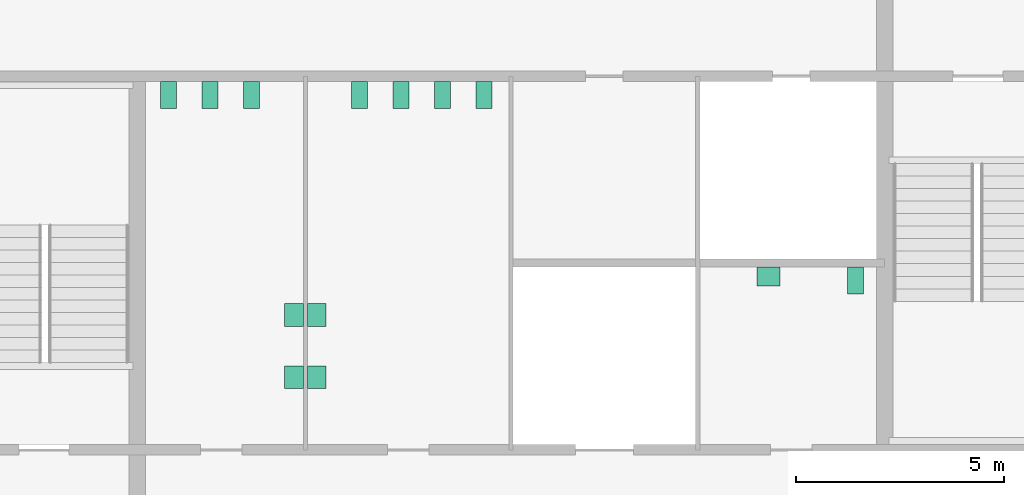
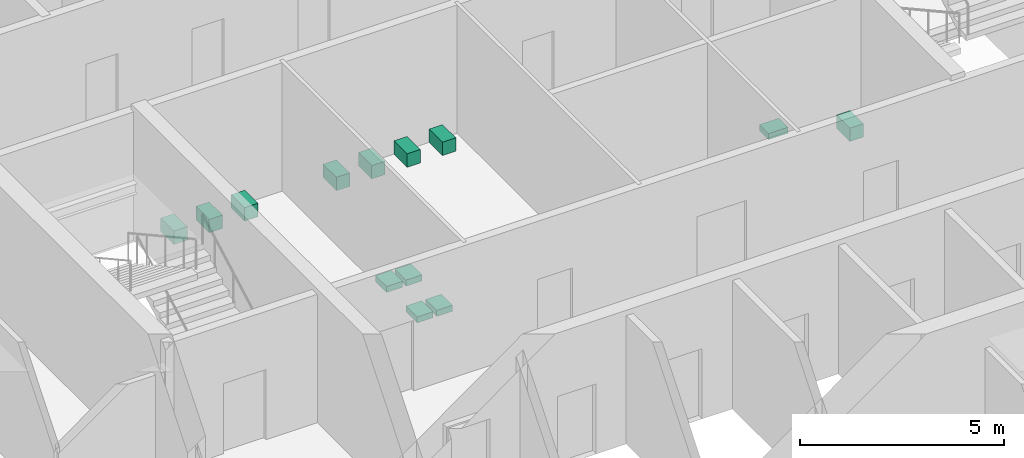
# One storey, part 13 of 13: 13 sanitary terminals.
"""IFC4 building model written with IfcOpenShell, lengths in metres."""

from ifc_helpers import new_model, si_unit, direction, frame, origin, origin_2d, place, context, subcontext, project, spatial, rectangle, extrude, material, type_object, element, save


model = new_model("IFC4")

# Units and contexts
model_context = context("Model", 3, precision=1e-05, world=origin(), true_north=direction((0.0, 1.0)))
body_context = subcontext(model_context, "Body", "Model", "MODEL_VIEW")
ifc_project = project(units=[si_unit("LENGTHUNIT", "METRE"), si_unit("AREAUNIT", "SQUARE_METRE"), si_unit("VOLUMEUNIT", "CUBIC_METRE"), si_unit("PLANEANGLEUNIT", "RADIAN"), si_unit("MASSUNIT", "GRAM", prefix="KILO")], contexts=[model_context])

# Site, building, storey
site_placement = place(None, origin())
site = spatial("IfcSite", under=ifc_project, at=site_placement, CompositionType="ELEMENT")
building_placement = place(site_placement, origin())
building = spatial("IfcBuilding", under=site, at=building_placement, Name="Corais Broadcast Tower", CompositionType="ELEMENT")
storey_placement = place(building_placement, frame((0.0, 0.0, 175.60009765625)))
storey = spatial("IfcBuildingStorey", under=building, at=storey_placement, Name="L40", CompositionType="ELEMENT", Elevation=175.60009765625)

# Sanitary terminals
ifc_material_1 = material(Name="Vitreous china", Category="ceramic")
sanitary_terminal_type_1 = type_object("IfcSanitaryTerminalType", Name="WC pan 380x650", PredefinedType="TOILETPAN", material=ifc_material_1)
for number, where, z_axis, x_axis, name in (
    (1, (18.75, 31.050048828125, 0.0), (0.0, 0.0, 1.0), (1.0, 0.0, 0.0), "SW1 WC pan, male toilets L40"),
    (2, (19.75, 31.050048828125, 0.0), (0.0, 0.0, 1.0), (1.0, 0.0, 0.0), "SW1 WC pan, male toilets L40"),
    (3, (20.75, 31.050048828125, 0.0), (0.0, 0.0, 1.0), (1.0, 0.0, 0.0), "SW1 WC pan, male toilets L40"),
    (4, (23.35009765625, 31.050048828125, 0.0), (0.0, 0.0, 1.0), (1.0, 0.0, 0.0), "SW1 WC pan, female toilets L40"),
    (5, (24.35009765625, 31.050048828125, 0.0), (0.0, 0.0, 1.0), (1.0, 0.0, 0.0), "SW1 WC pan, female toilets L40"),
    (6, (25.35009765625, 31.050048828125, 0.0), (0.0, 0.0, 1.0), (1.0, 0.0, 0.0), "SW1 WC pan, female toilets L40"),
    (7, (26.35009765625, 31.050048828125, 0.0), (0.0, 0.0, 1.0), (1.0, 0.0, 0.0), "SW1 WC pan, female toilets L40"),
    (8, (35.300048828125, 26.574951171875, 0.0), (0.0, 0.0, 1.0), (1.0, 0.0, 0.0), "SW1 WC pan, accessible WC L40"),
):
    element("IfcSanitaryTerminal", number, at=place(storey_placement, frame(where, z_axis=z_axis, x_axis=x_axis)), inside=storey, type_object=sanitary_terminal_type_1, Name=name, PredefinedType="TOILETPAN", context=body_context, shape_type="SweptSolid", body=[
        extrude(rectangle(XDim=0.3798828125, YDim=0.64990234375, at=origin_2d()), origin(), (0.0, 0.0, 1.0), 0.39990234375),
    ])
ifc_material_2 = material(Name="Vitreous china", Category="ceramic")
sanitary_terminal_type_2 = type_object("IfcSanitaryTerminalType", Name="Wash basin 550x450", PredefinedType="WASHHANDBASIN", material=ifc_material_2)
for number, where, z_axis, x_axis, name in (
    (9, (21.77490234375, 24.25, 0.69970703125), (0.0, 0.0, 1.0), (1.0, 0.0, 0.0), "WB1 wash basin, male toilets L40"),
    (10, (21.77490234375, 25.75, 0.69970703125), (0.0, 0.0, 1.0), (1.0, 0.0, 0.0), "WB1 wash basin, male toilets L40"),
    (11, (22.324951171875, 24.25, 0.69970703125), (0.0, 0.0, 1.0), (1.0, 0.0, 0.0), "WB1 wash basin, female toilets L40"),
    (12, (22.324951171875, 25.75, 0.69970703125), (0.0, 0.0, 1.0), (1.0, 0.0, 0.0), "WB1 wash basin, female toilets L40"),
):
    element("IfcSanitaryTerminal", number, at=place(storey_placement, frame(where, z_axis=z_axis, x_axis=x_axis)), inside=storey, type_object=sanitary_terminal_type_2, Name=name, PredefinedType="WASHHANDBASIN", context=body_context, shape_type="SweptSolid", body=[
        extrude(rectangle(XDim=0.449951171875, YDim=0.550048828125, at=origin_2d()), origin(), (0.0, 0.0, 1.0), 0.179931640625),
    ])
sanitary_terminal_placement = place(storey_placement, frame((33.199951171875, 26.675048828125, 0.69970703125), z_axis=(0.0, 0.0, 1.0), x_axis=(1.0, 0.0, 0.0)))
element("IfcSanitaryTerminal", 13, at=sanitary_terminal_placement, inside=storey, type_object=sanitary_terminal_type_2, Name="WB1 wash basin, accessible WC L40", PredefinedType="WASHHANDBASIN", context=body_context, shape_type="SweptSolid", body=[
    extrude(rectangle(XDim=0.550048828125, YDim=0.449951171875, at=origin_2d()), origin(), (0.0, 0.0, 1.0), 0.179931640625),
])

save(model, "model.ifc")
